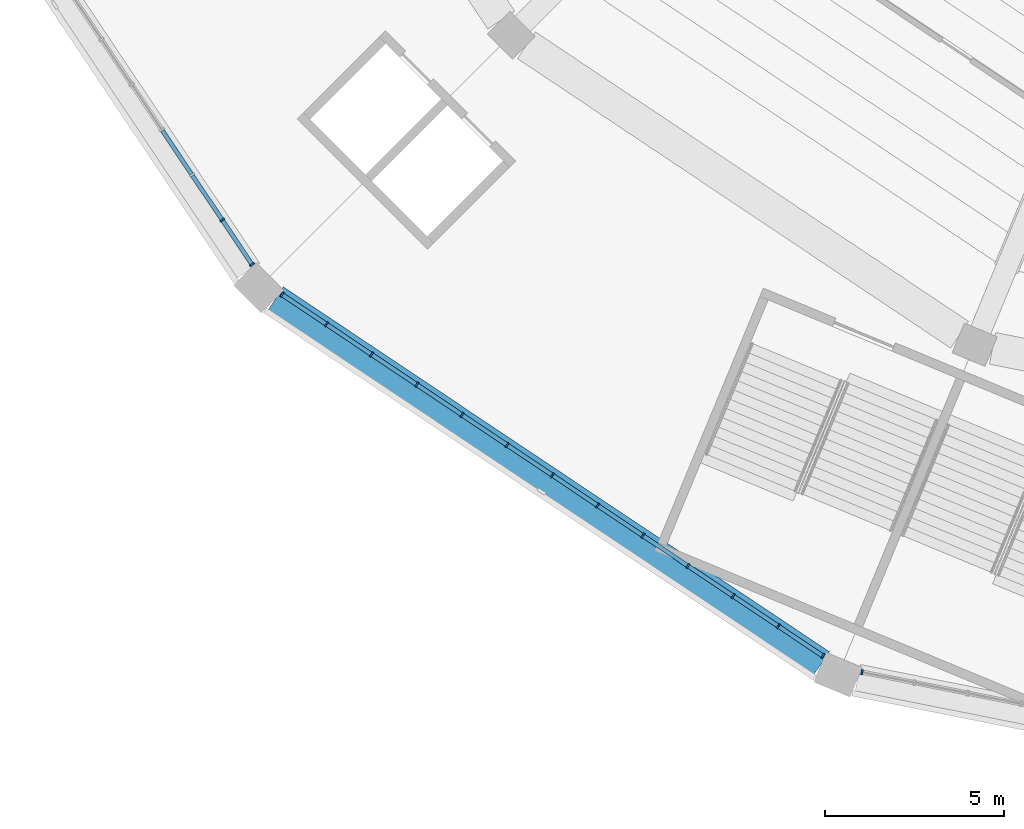
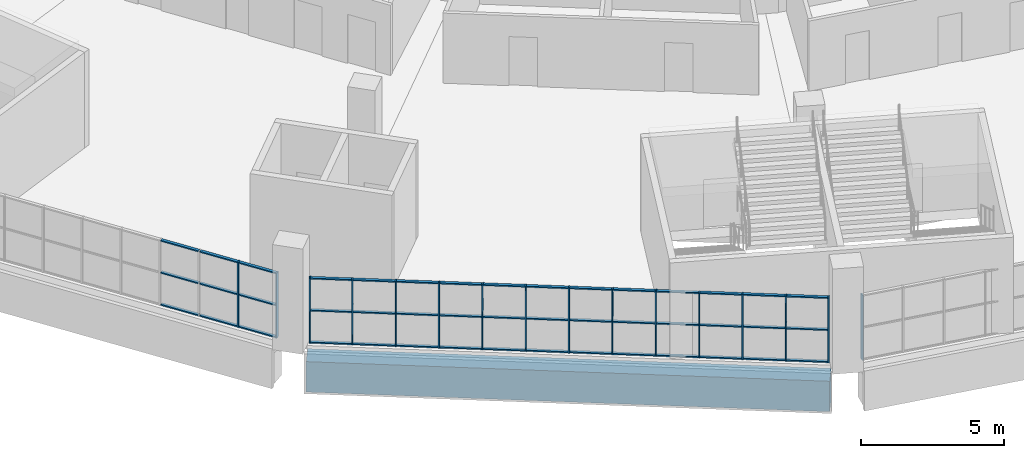
# One storey, part 2 of 249: 61 members, 1 beam, 3 elements without a shape of their own.
"""IFC4 building model written with IfcOpenShell, lengths in metres."""

from ifc_helpers import new_model, si_unit, direction, frame, origin, origin_2d, place, context, subcontext, project, spatial, rectangle, extrude, material, material_profile, profile_set, type_object, element, aggregate, save


model = new_model("IFC4")

# Units and contexts
model_context = context("Model", 3, precision=1e-05, world=origin(), true_north=direction((0.0, 1.0)))
body_context = subcontext(model_context, "Body", "Model", "MODEL_VIEW")
ifc_project = project(units=[si_unit("LENGTHUNIT", "METRE"), si_unit("AREAUNIT", "SQUARE_METRE"), si_unit("VOLUMEUNIT", "CUBIC_METRE"), si_unit("PLANEANGLEUNIT", "RADIAN"), si_unit("MASSUNIT", "GRAM", prefix="KILO")], contexts=[model_context])

# Site, building, storey
site_placement = place(None, origin())
site = spatial("IfcSite", under=ifc_project, at=site_placement, CompositionType="ELEMENT")
building_placement = place(site_placement, origin())
building = spatial("IfcBuilding", under=site, at=building_placement, Name="Ogive Plaza Stadium", CompositionType="ELEMENT")
storey_placement = place(building_placement, frame((0.0, 0.0, 13.5)))
storey = spatial("IfcBuildingStorey", under=building, at=storey_placement, Name="L03", CompositionType="ELEMENT", Elevation=13.5)

# Curtain wall, member
ifc_material_1 = material(Name="Bronze-anodised aluminium with laminated glass", Category="aluminium")
curtain_wall_type = type_object("IfcCurtainWallType", Name="Lancet curtain wall", PredefinedType="NOTDEFINED", material=ifc_material_1)
curtain_wall_1_placement = place(storey_placement, origin())
curtain_wall_1 = element("IfcCurtainWall", 1, at=curtain_wall_1_placement, inside=storey, type_object=curtain_wall_type, Name="CURTAIN WALL B17 L03", PredefinedType="NOTDEFINED")
ifc_material_2 = material(Name="Bronze-anodised aluminium", Category="aluminium")
ifc_material_profile_1 = material_profile(ifc_material_2, rectangle(XDim=0.14990234375, YDim=0.050048828125, at=origin_2d()), Name="AL 150x50")
ifc_profile_set_1 = profile_set([ifc_material_profile_1], Name="Bronze-anodised aluminium")
member_type_1 = type_object("IfcMemberType", Name="Curtain wall mullion 50x150", PredefinedType="MULLION", material=ifc_profile_set_1)
member_1_placement = place(storey_placement, frame((-52.462158203125, -98.623779296875, 0.0), z_axis=(0.0, 0.0, 1.0), x_axis=(-0.195090322033, -0.9807852804, 0.0)))
member_1 = element("IfcMember", 2, at=member_1_placement, type_object=member_type_1, Name="CW-B17-L03 mullion 13", PredefinedType="MULLION", context=body_context, shape_type="SweptSolid", body=[
    extrude(rectangle(XDim=0.14990234375, YDim=0.050048828125, at=origin_2d()), origin(), (0.0, 0.0, 1.0), 2.7900390625),
])
aggregate(curtain_wall_1, [member_1])

# Curtain wall, members
curtain_wall_2_placement = place(storey_placement, origin())
curtain_wall_2 = element("IfcCurtainWall", 3, at=curtain_wall_2_placement, inside=storey, type_object=curtain_wall_type, Name="CURTAIN WALL B18 L03", PredefinedType="NOTDEFINED")
member_2_placement = place(storey_placement, frame((-53.559814453125, -98.169189453125, 0.0), z_axis=(0.0, 0.0, 1.0), x_axis=(-0.55557023302, -0.831469612303, 0.0)))
member_2 = element("IfcMember", 4, at=member_2_placement, type_object=member_type_1, Name="CW-B18-L03 mullion 1", PredefinedType="MULLION", context=body_context, shape_type="SweptSolid", body=[
    extrude(rectangle(XDim=0.14990234375, YDim=0.050048828125, at=origin_2d()), origin(), (0.0, 0.0, 1.0), 2.7900390625),
])
member_3_placement = place(storey_placement, frame((-54.8046875, -97.337158203125, 0.0), z_axis=(0.0, 0.0, 1.0), x_axis=(-0.55557023302, -0.831469612303, 0.0)))
member_3 = element("IfcMember", 5, at=member_3_placement, type_object=member_type_1, Name="CW-B18-L03 mullion 2", PredefinedType="MULLION", context=body_context, shape_type="SweptSolid", body=[
    extrude(rectangle(XDim=0.14990234375, YDim=0.050048828125, at=origin_2d()), origin(), (0.0, 0.0, 1.0), 2.7900390625),
])
member_4_placement = place(storey_placement, frame((-56.070556640625, -96.491455078125, 0.0), z_axis=(0.0, 0.0, 1.0), x_axis=(-0.55557023302, -0.831469612303, 0.0)))
member_4 = element("IfcMember", 6, at=member_4_placement, type_object=member_type_1, Name="CW-B18-L03 mullion 3", PredefinedType="MULLION", context=body_context, shape_type="SweptSolid", body=[
    extrude(rectangle(XDim=0.14990234375, YDim=0.050048828125, at=origin_2d()), origin(), (0.0, 0.0, 1.0), 2.7900390625),
])
member_5_placement = place(storey_placement, frame((-57.336181640625, -95.645751953125, 0.0), z_axis=(0.0, 0.0, 1.0), x_axis=(-0.55557023302, -0.831469612303, 0.0)))
member_5 = element("IfcMember", 7, at=member_5_placement, type_object=member_type_1, Name="CW-B18-L03 mullion 4", PredefinedType="MULLION", context=body_context, shape_type="SweptSolid", body=[
    extrude(rectangle(XDim=0.14990234375, YDim=0.050048828125, at=origin_2d()), origin(), (0.0, 0.0, 1.0), 2.7900390625),
])
member_6_placement = place(storey_placement, frame((-58.60205078125, -94.7998046875, 0.0), z_axis=(0.0, 0.0, 1.0), x_axis=(-0.55557023302, -0.831469612303, 0.0)))
member_6 = element("IfcMember", 8, at=member_6_placement, type_object=member_type_1, Name="CW-B18-L03 mullion 5", PredefinedType="MULLION", context=body_context, shape_type="SweptSolid", body=[
    extrude(rectangle(XDim=0.14990234375, YDim=0.050048828125, at=origin_2d()), origin(), (0.0, 0.0, 1.0), 2.7900390625),
])
member_7_placement = place(storey_placement, frame((-59.867919921875, -93.9541015625, 0.0), z_axis=(0.0, 0.0, 1.0), x_axis=(-0.55557023302, -0.831469612303, 0.0)))
member_7 = element("IfcMember", 9, at=member_7_placement, type_object=member_type_1, Name="CW-B18-L03 mullion 6", PredefinedType="MULLION", context=body_context, shape_type="SweptSolid", body=[
    extrude(rectangle(XDim=0.14990234375, YDim=0.050048828125, at=origin_2d()), origin(), (0.0, 0.0, 1.0), 2.7900390625),
])
member_8_placement = place(storey_placement, frame((-61.133544921875, -93.1083984375, 0.0), z_axis=(0.0, 0.0, 1.0), x_axis=(-0.55557023302, -0.831469612303, 0.0)))
member_8 = element("IfcMember", 10, at=member_8_placement, type_object=member_type_1, Name="CW-B18-L03 mullion 7", PredefinedType="MULLION", context=body_context, shape_type="SweptSolid", body=[
    extrude(rectangle(XDim=0.14990234375, YDim=0.050048828125, at=origin_2d()), origin(), (0.0, 0.0, 1.0), 2.7900390625),
])
member_9_placement = place(storey_placement, frame((-62.3994140625, -92.2626953125, 0.0), z_axis=(0.0, 0.0, 1.0), x_axis=(-0.55557023302, -0.831469612303, 0.0)))
member_9 = element("IfcMember", 11, at=member_9_placement, type_object=member_type_1, Name="CW-B18-L03 mullion 8", PredefinedType="MULLION", context=body_context, shape_type="SweptSolid", body=[
    extrude(rectangle(XDim=0.14990234375, YDim=0.050048828125, at=origin_2d()), origin(), (0.0, 0.0, 1.0), 2.7900390625),
])
member_10_placement = place(storey_placement, frame((-63.665283203125, -91.416748046875, 0.0), z_axis=(0.0, 0.0, 1.0), x_axis=(-0.55557023302, -0.831469612303, 0.0)))
member_10 = element("IfcMember", 12, at=member_10_placement, type_object=member_type_1, Name="CW-B18-L03 mullion 9", PredefinedType="MULLION", context=body_context, shape_type="SweptSolid", body=[
    extrude(rectangle(XDim=0.14990234375, YDim=0.050048828125, at=origin_2d()), origin(), (0.0, 0.0, 1.0), 2.7900390625),
])
member_11_placement = place(storey_placement, frame((-64.930908203125, -90.571044921875, 0.0), z_axis=(0.0, 0.0, 1.0), x_axis=(-0.55557023302, -0.831469612303, 0.0)))
member_11 = element("IfcMember", 13, at=member_11_placement, type_object=member_type_1, Name="CW-B18-L03 mullion 10", PredefinedType="MULLION", context=body_context, shape_type="SweptSolid", body=[
    extrude(rectangle(XDim=0.14990234375, YDim=0.050048828125, at=origin_2d()), origin(), (0.0, 0.0, 1.0), 2.7900390625),
])
member_12_placement = place(storey_placement, frame((-66.19677734375, -89.725341796875, 0.0), z_axis=(0.0, 0.0, 1.0), x_axis=(-0.55557023302, -0.831469612303, 0.0)))
member_12 = element("IfcMember", 14, at=member_12_placement, type_object=member_type_1, Name="CW-B18-L03 mullion 11", PredefinedType="MULLION", context=body_context, shape_type="SweptSolid", body=[
    extrude(rectangle(XDim=0.14990234375, YDim=0.050048828125, at=origin_2d()), origin(), (0.0, 0.0, 1.0), 2.7900390625),
])
member_13_placement = place(storey_placement, frame((-67.462646484375, -88.879638671875, 0.0), z_axis=(0.0, 0.0, 1.0), x_axis=(-0.55557023302, -0.831469612303, 0.0)))
member_13 = element("IfcMember", 15, at=member_13_placement, type_object=member_type_1, Name="CW-B18-L03 mullion 12", PredefinedType="MULLION", context=body_context, shape_type="SweptSolid", body=[
    extrude(rectangle(XDim=0.14990234375, YDim=0.050048828125, at=origin_2d()), origin(), (0.0, 0.0, 1.0), 2.7900390625),
])
member_14_placement = place(storey_placement, frame((-68.70751953125, -88.047607421875, 0.0), z_axis=(0.0, 0.0, 1.0), x_axis=(-0.55557023302, -0.831469612303, 0.0)))
member_14 = element("IfcMember", 16, at=member_14_placement, type_object=member_type_1, Name="CW-B18-L03 mullion 13", PredefinedType="MULLION", context=body_context, shape_type="SweptSolid", body=[
    extrude(rectangle(XDim=0.14990234375, YDim=0.050048828125, at=origin_2d()), origin(), (0.0, 0.0, 1.0), 2.7900390625),
])

curtain_wall_3_placement = place(storey_placement, origin())
curtain_wall_3 = element("IfcCurtainWall", 17, at=curtain_wall_3_placement, inside=storey, type_object=curtain_wall_type, Name="CURTAIN WALL B19 L03", PredefinedType="NOTDEFINED")
member_15_placement = place(storey_placement, frame((-69.547607421875, -87.20751953125, 0.0), z_axis=(0.0, 0.0, 1.0), x_axis=(-0.831469612303, -0.55557023302, 0.0)))
member_15 = element("IfcMember", 18, at=member_15_placement, type_object=member_type_1, Name="CW-B19-L03 mullion 1", PredefinedType="MULLION", context=body_context, shape_type="SweptSolid", body=[
    extrude(rectangle(XDim=0.14990234375, YDim=0.050048828125, at=origin_2d()), origin(), (0.0, 0.0, 1.0), 2.7900390625),
])
member_16_placement = place(storey_placement, frame((-70.379638671875, -85.962646484375, 0.0), z_axis=(0.0, 0.0, 1.0), x_axis=(-0.831469612303, -0.55557023302, 0.0)))
member_16 = element("IfcMember", 19, at=member_16_placement, type_object=member_type_1, Name="CW-B19-L03 mullion 2", PredefinedType="MULLION", context=body_context, shape_type="SweptSolid", body=[
    extrude(rectangle(XDim=0.14990234375, YDim=0.050048828125, at=origin_2d()), origin(), (0.0, 0.0, 1.0), 2.7900390625),
])

# Member
ifc_material_3 = material(Name="Bronze-anodised aluminium", Category="aluminium")
ifc_material_profile_2 = material_profile(ifc_material_3, rectangle(XDim=0.1201171875, YDim=0.050048828125, at=origin_2d()), Name="AL 120x50")
ifc_profile_set_2 = profile_set([ifc_material_profile_2], Name="Bronze-anodised aluminium")
member_type_2 = type_object("IfcMemberType", Name="Curtain wall transom 50x120", PredefinedType="USERDEFINED", material=ifc_profile_set_2)
member_17_placement = place(storey_placement, frame((-53.58056640625, -98.1552734375, 0.02490234375), z_axis=(-0.831426948977, 0.555634077892, 0.0), x_axis=(-0.555634077892, -0.831426948977, 0.0)))
member_17 = element("IfcMember", 20, at=member_17_placement, type_object=member_type_2, Name="CW-B18-L03 transom 1.1", ObjectType="TRANSOM", PredefinedType="USERDEFINED", context=body_context, shape_type="SweptSolid", body=[
    extrude(rectangle(XDim=0.1201171875, YDim=0.050048828125, at=origin_2d()), origin(), (0.0, 0.0, 1.0), 1.447265625),
])

member_18_placement = place(storey_placement, frame((-53.58056640625, -98.1552734375, 1.39501953125), z_axis=(-0.831426948977, 0.555634077892, 0.0), x_axis=(-0.555634077892, -0.831426948977, 0.0)))
member_18 = element("IfcMember", 21, at=member_18_placement, type_object=member_type_2, Name="CW-B18-L03 transom 1.2", ObjectType="TRANSOM", PredefinedType="USERDEFINED", context=body_context, shape_type="SweptSolid", body=[
    extrude(rectangle(XDim=0.1201171875, YDim=0.050048828125, at=origin_2d()), origin(), (0.0, 0.0, 1.0), 1.447265625),
])

member_19_placement = place(storey_placement, frame((-53.58056640625, -98.1552734375, 2.764892578125), z_axis=(-0.831426948977, 0.555634077892, 0.0), x_axis=(-0.555634077892, -0.831426948977, 0.0)))
member_19 = element("IfcMember", 22, at=member_19_placement, type_object=member_type_2, Name="CW-B18-L03 transom 1.3", ObjectType="TRANSOM", PredefinedType="USERDEFINED", context=body_context, shape_type="SweptSolid", body=[
    extrude(rectangle(XDim=0.1201171875, YDim=0.050048828125, at=origin_2d()), origin(), (0.0, 0.0, 1.0), 1.447265625),
])

member_20_placement = place(storey_placement, frame((-54.825439453125, -97.3232421875, 0.02490234375), z_axis=(-0.83153975619, 0.555465240925, 0.0), x_axis=(-0.555465240925, -0.83153975619, 0.0)))
member_20 = element("IfcMember", 23, at=member_20_placement, type_object=member_type_2, Name="CW-B18-L03 transom 2.1", ObjectType="TRANSOM", PredefinedType="USERDEFINED", context=body_context, shape_type="SweptSolid", body=[
    extrude(rectangle(XDim=0.1201171875, YDim=0.050048828125, at=origin_2d()), origin(), (0.0, 0.0, 1.0), 1.472412109375),
])

member_21_placement = place(storey_placement, frame((-54.825439453125, -97.3232421875, 1.39501953125), z_axis=(-0.83153975619, 0.555465240925, 0.0), x_axis=(-0.555465240925, -0.83153975619, 0.0)))
member_21 = element("IfcMember", 24, at=member_21_placement, type_object=member_type_2, Name="CW-B18-L03 transom 2.2", ObjectType="TRANSOM", PredefinedType="USERDEFINED", context=body_context, shape_type="SweptSolid", body=[
    extrude(rectangle(XDim=0.1201171875, YDim=0.050048828125, at=origin_2d()), origin(), (0.0, 0.0, 1.0), 1.472412109375),
])

member_22_placement = place(storey_placement, frame((-54.825439453125, -97.3232421875, 2.764892578125), z_axis=(-0.83153975619, 0.555465240925, 0.0), x_axis=(-0.555465240925, -0.83153975619, 0.0)))
member_22 = element("IfcMember", 25, at=member_22_placement, type_object=member_type_2, Name="CW-B18-L03 transom 2.3", ObjectType="TRANSOM", PredefinedType="USERDEFINED", context=body_context, shape_type="SweptSolid", body=[
    extrude(rectangle(XDim=0.1201171875, YDim=0.050048828125, at=origin_2d()), origin(), (0.0, 0.0, 1.0), 1.472412109375),
])

member_23_placement = place(storey_placement, frame((-56.09130859375, -96.4775390625, 0.02490234375), z_axis=(-0.831488586159, 0.555541835587, 0.0), x_axis=(-0.555541835587, -0.831488586159, 0.0)))
member_23 = element("IfcMember", 26, at=member_23_placement, type_object=member_type_2, Name="CW-B18-L03 transom 3.1", ObjectType="TRANSOM", PredefinedType="USERDEFINED", context=body_context, shape_type="SweptSolid", body=[
    extrude(rectangle(XDim=0.1201171875, YDim=0.050048828125, at=origin_2d()), origin(), (0.0, 0.0, 1.0), 1.47216796875),
])

member_24_placement = place(storey_placement, frame((-56.09130859375, -96.4775390625, 1.39501953125), z_axis=(-0.831488586159, 0.555541835587, 0.0), x_axis=(-0.555541835587, -0.831488586159, 0.0)))
member_24 = element("IfcMember", 27, at=member_24_placement, type_object=member_type_2, Name="CW-B18-L03 transom 3.2", ObjectType="TRANSOM", PredefinedType="USERDEFINED", context=body_context, shape_type="SweptSolid", body=[
    extrude(rectangle(XDim=0.1201171875, YDim=0.050048828125, at=origin_2d()), origin(), (0.0, 0.0, 1.0), 1.47216796875),
])

member_25_placement = place(storey_placement, frame((-56.09130859375, -96.4775390625, 2.764892578125), z_axis=(-0.831488586159, 0.555541835587, 0.0), x_axis=(-0.555541835587, -0.831488586159, 0.0)))
member_25 = element("IfcMember", 28, at=member_25_placement, type_object=member_type_2, Name="CW-B18-L03 transom 3.3", ObjectType="TRANSOM", PredefinedType="USERDEFINED", context=body_context, shape_type="SweptSolid", body=[
    extrude(rectangle(XDim=0.1201171875, YDim=0.050048828125, at=origin_2d()), origin(), (0.0, 0.0, 1.0), 1.47216796875),
])

member_26_placement = place(storey_placement, frame((-57.357177734375, -95.6318359375, 0.02490234375), z_axis=(-0.831411982446, 0.555656472512, 0.0), x_axis=(-0.555656472512, -0.831411982446, 0.0)))
member_26 = element("IfcMember", 29, at=member_26_placement, type_object=member_type_2, Name="CW-B18-L03 transom 4.1", ObjectType="TRANSOM", PredefinedType="USERDEFINED", context=body_context, shape_type="SweptSolid", body=[
    extrude(rectangle(XDim=0.1201171875, YDim=0.050048828125, at=origin_2d()), origin(), (0.0, 0.0, 1.0), 1.472412109375),
])

member_27_placement = place(storey_placement, frame((-57.357177734375, -95.6318359375, 1.39501953125), z_axis=(-0.831411982446, 0.555656472512, 0.0), x_axis=(-0.555656472512, -0.831411982446, 0.0)))
member_27 = element("IfcMember", 30, at=member_27_placement, type_object=member_type_2, Name="CW-B18-L03 transom 4.2", ObjectType="TRANSOM", PredefinedType="USERDEFINED", context=body_context, shape_type="SweptSolid", body=[
    extrude(rectangle(XDim=0.1201171875, YDim=0.050048828125, at=origin_2d()), origin(), (0.0, 0.0, 1.0), 1.472412109375),
])

member_28_placement = place(storey_placement, frame((-57.357177734375, -95.6318359375, 2.764892578125), z_axis=(-0.831411982446, 0.555656472512, 0.0), x_axis=(-0.555656472512, -0.831411982446, 0.0)))
member_28 = element("IfcMember", 31, at=member_28_placement, type_object=member_type_2, Name="CW-B18-L03 transom 4.3", ObjectType="TRANSOM", PredefinedType="USERDEFINED", context=body_context, shape_type="SweptSolid", body=[
    extrude(rectangle(XDim=0.1201171875, YDim=0.050048828125, at=origin_2d()), origin(), (0.0, 0.0, 1.0), 1.472412109375),
])

member_29_placement = place(storey_placement, frame((-58.622802734375, -94.7861328125, 0.02490234375), z_axis=(-0.831463168883, 0.555579876157, 0.0), x_axis=(-0.555579876157, -0.831463168883, 0.0)))
member_29 = element("IfcMember", 32, at=member_29_placement, type_object=member_type_2, Name="CW-B18-L03 transom 5.1", ObjectType="TRANSOM", PredefinedType="USERDEFINED", context=body_context, shape_type="SweptSolid", body=[
    extrude(rectangle(XDim=0.1201171875, YDim=0.050048828125, at=origin_2d()), origin(), (0.0, 0.0, 1.0), 1.47265625),
])

member_30_placement = place(storey_placement, frame((-58.622802734375, -94.7861328125, 1.39501953125), z_axis=(-0.831463168883, 0.555579876157, 0.0), x_axis=(-0.555579876157, -0.831463168883, 0.0)))
member_30 = element("IfcMember", 33, at=member_30_placement, type_object=member_type_2, Name="CW-B18-L03 transom 5.2", ObjectType="TRANSOM", PredefinedType="USERDEFINED", context=body_context, shape_type="SweptSolid", body=[
    extrude(rectangle(XDim=0.1201171875, YDim=0.050048828125, at=origin_2d()), origin(), (0.0, 0.0, 1.0), 1.47265625),
])

member_31_placement = place(storey_placement, frame((-58.622802734375, -94.7861328125, 2.764892578125), z_axis=(-0.831463168883, 0.555579876157, 0.0), x_axis=(-0.555579876157, -0.831463168883, 0.0)))
member_31 = element("IfcMember", 34, at=member_31_placement, type_object=member_type_2, Name="CW-B18-L03 transom 5.3", ObjectType="TRANSOM", PredefinedType="USERDEFINED", context=body_context, shape_type="SweptSolid", body=[
    extrude(rectangle(XDim=0.1201171875, YDim=0.050048828125, at=origin_2d()), origin(), (0.0, 0.0, 1.0), 1.47265625),
])

member_32_placement = place(storey_placement, frame((-59.888671875, -93.940185546875, 0.02490234375), z_axis=(-0.831488586159, 0.555541835587, 0.0), x_axis=(-0.555541835587, -0.831488586159, 0.0)))
member_32 = element("IfcMember", 35, at=member_32_placement, type_object=member_type_2, Name="CW-B18-L03 transom 6.1", ObjectType="TRANSOM", PredefinedType="USERDEFINED", context=body_context, shape_type="SweptSolid", body=[
    extrude(rectangle(XDim=0.1201171875, YDim=0.050048828125, at=origin_2d()), origin(), (0.0, 0.0, 1.0), 1.47216796875),
])

member_33_placement = place(storey_placement, frame((-59.888671875, -93.940185546875, 1.39501953125), z_axis=(-0.831488586159, 0.555541835587, 0.0), x_axis=(-0.555541835587, -0.831488586159, 0.0)))
member_33 = element("IfcMember", 36, at=member_33_placement, type_object=member_type_2, Name="CW-B18-L03 transom 6.2", ObjectType="TRANSOM", PredefinedType="USERDEFINED", context=body_context, shape_type="SweptSolid", body=[
    extrude(rectangle(XDim=0.1201171875, YDim=0.050048828125, at=origin_2d()), origin(), (0.0, 0.0, 1.0), 1.47216796875),
])

member_34_placement = place(storey_placement, frame((-59.888671875, -93.940185546875, 2.764892578125), z_axis=(-0.831488586159, 0.555541835587, 0.0), x_axis=(-0.555541835587, -0.831488586159, 0.0)))
member_34 = element("IfcMember", 37, at=member_34_placement, type_object=member_type_2, Name="CW-B18-L03 transom 6.3", ObjectType="TRANSOM", PredefinedType="USERDEFINED", context=body_context, shape_type="SweptSolid", body=[
    extrude(rectangle(XDim=0.1201171875, YDim=0.050048828125, at=origin_2d()), origin(), (0.0, 0.0, 1.0), 1.47216796875),
])

member_35_placement = place(storey_placement, frame((-61.154541015625, -93.094482421875, 0.02490234375), z_axis=(-0.831411982446, 0.555656472512, 0.0), x_axis=(-0.555656472512, -0.831411982446, 0.0)))
member_35 = element("IfcMember", 38, at=member_35_placement, type_object=member_type_2, Name="CW-B18-L03 transom 7.1", ObjectType="TRANSOM", PredefinedType="USERDEFINED", context=body_context, shape_type="SweptSolid", body=[
    extrude(rectangle(XDim=0.1201171875, YDim=0.050048828125, at=origin_2d()), origin(), (0.0, 0.0, 1.0), 1.472412109375),
])

member_36_placement = place(storey_placement, frame((-61.154541015625, -93.094482421875, 1.39501953125), z_axis=(-0.831411982446, 0.555656472512, 0.0), x_axis=(-0.555656472512, -0.831411982446, 0.0)))
member_36 = element("IfcMember", 39, at=member_36_placement, type_object=member_type_2, Name="CW-B18-L03 transom 7.2", ObjectType="TRANSOM", PredefinedType="USERDEFINED", context=body_context, shape_type="SweptSolid", body=[
    extrude(rectangle(XDim=0.1201171875, YDim=0.050048828125, at=origin_2d()), origin(), (0.0, 0.0, 1.0), 1.472412109375),
])

member_37_placement = place(storey_placement, frame((-61.154541015625, -93.094482421875, 2.764892578125), z_axis=(-0.831411982446, 0.555656472512, 0.0), x_axis=(-0.555656472512, -0.831411982446, 0.0)))
member_37 = element("IfcMember", 40, at=member_37_placement, type_object=member_type_2, Name="CW-B18-L03 transom 7.3", ObjectType="TRANSOM", PredefinedType="USERDEFINED", context=body_context, shape_type="SweptSolid", body=[
    extrude(rectangle(XDim=0.1201171875, YDim=0.050048828125, at=origin_2d()), origin(), (0.0, 0.0, 1.0), 1.472412109375),
])

member_38_placement = place(storey_placement, frame((-62.420166015625, -92.248779296875, 0.02490234375), z_axis=(-0.831463168883, 0.555579876157, 0.0), x_axis=(-0.555579876157, -0.831463168883, 0.0)))
member_38 = element("IfcMember", 41, at=member_38_placement, type_object=member_type_2, Name="CW-B18-L03 transom 8.1", ObjectType="TRANSOM", PredefinedType="USERDEFINED", context=body_context, shape_type="SweptSolid", body=[
    extrude(rectangle(XDim=0.1201171875, YDim=0.050048828125, at=origin_2d()), origin(), (0.0, 0.0, 1.0), 1.47265625),
])

member_39_placement = place(storey_placement, frame((-62.420166015625, -92.248779296875, 1.39501953125), z_axis=(-0.831463168883, 0.555579876157, 0.0), x_axis=(-0.555579876157, -0.831463168883, 0.0)))
member_39 = element("IfcMember", 42, at=member_39_placement, type_object=member_type_2, Name="CW-B18-L03 transom 8.2", ObjectType="TRANSOM", PredefinedType="USERDEFINED", context=body_context, shape_type="SweptSolid", body=[
    extrude(rectangle(XDim=0.1201171875, YDim=0.050048828125, at=origin_2d()), origin(), (0.0, 0.0, 1.0), 1.47265625),
])

member_40_placement = place(storey_placement, frame((-62.420166015625, -92.248779296875, 2.764892578125), z_axis=(-0.831463168883, 0.555579876157, 0.0), x_axis=(-0.555579876157, -0.831463168883, 0.0)))
member_40 = element("IfcMember", 43, at=member_40_placement, type_object=member_type_2, Name="CW-B18-L03 transom 8.3", ObjectType="TRANSOM", PredefinedType="USERDEFINED", context=body_context, shape_type="SweptSolid", body=[
    extrude(rectangle(XDim=0.1201171875, YDim=0.050048828125, at=origin_2d()), origin(), (0.0, 0.0, 1.0), 1.47265625),
])

member_41_placement = place(storey_placement, frame((-63.68603515625, -91.40283203125, 0.02490234375), z_axis=(-0.831488586159, 0.555541835587, 0.0), x_axis=(-0.555541835587, -0.831488586159, 0.0)))
member_41 = element("IfcMember", 44, at=member_41_placement, type_object=member_type_2, Name="CW-B18-L03 transom 9.1", ObjectType="TRANSOM", PredefinedType="USERDEFINED", context=body_context, shape_type="SweptSolid", body=[
    extrude(rectangle(XDim=0.1201171875, YDim=0.050048828125, at=origin_2d()), origin(), (0.0, 0.0, 1.0), 1.47216796875),
])

member_42_placement = place(storey_placement, frame((-63.68603515625, -91.40283203125, 1.39501953125), z_axis=(-0.831488586159, 0.555541835587, 0.0), x_axis=(-0.555541835587, -0.831488586159, 0.0)))
member_42 = element("IfcMember", 45, at=member_42_placement, type_object=member_type_2, Name="CW-B18-L03 transom 9.2", ObjectType="TRANSOM", PredefinedType="USERDEFINED", context=body_context, shape_type="SweptSolid", body=[
    extrude(rectangle(XDim=0.1201171875, YDim=0.050048828125, at=origin_2d()), origin(), (0.0, 0.0, 1.0), 1.47216796875),
])

member_43_placement = place(storey_placement, frame((-63.68603515625, -91.40283203125, 2.764892578125), z_axis=(-0.831488586159, 0.555541835587, 0.0), x_axis=(-0.555541835587, -0.831488586159, 0.0)))
member_43 = element("IfcMember", 46, at=member_43_placement, type_object=member_type_2, Name="CW-B18-L03 transom 9.3", ObjectType="TRANSOM", PredefinedType="USERDEFINED", context=body_context, shape_type="SweptSolid", body=[
    extrude(rectangle(XDim=0.1201171875, YDim=0.050048828125, at=origin_2d()), origin(), (0.0, 0.0, 1.0), 1.47216796875),
])

member_44_placement = place(storey_placement, frame((-64.95166015625, -90.55712890625, 0.02490234375), z_axis=(-0.83153975619, 0.555465240925, 0.0), x_axis=(-0.555465240925, -0.83153975619, 0.0)))
member_44 = element("IfcMember", 47, at=member_44_placement, type_object=member_type_2, Name="CW-B18-L03 transom 10.1", ObjectType="TRANSOM", PredefinedType="USERDEFINED", context=body_context, shape_type="SweptSolid", body=[
    extrude(rectangle(XDim=0.1201171875, YDim=0.050048828125, at=origin_2d()), origin(), (0.0, 0.0, 1.0), 1.472412109375),
])

member_45_placement = place(storey_placement, frame((-64.95166015625, -90.55712890625, 1.39501953125), z_axis=(-0.83153975619, 0.555465240925, 0.0), x_axis=(-0.555465240925, -0.83153975619, 0.0)))
member_45 = element("IfcMember", 48, at=member_45_placement, type_object=member_type_2, Name="CW-B18-L03 transom 10.2", ObjectType="TRANSOM", PredefinedType="USERDEFINED", context=body_context, shape_type="SweptSolid", body=[
    extrude(rectangle(XDim=0.1201171875, YDim=0.050048828125, at=origin_2d()), origin(), (0.0, 0.0, 1.0), 1.472412109375),
])

member_46_placement = place(storey_placement, frame((-64.95166015625, -90.55712890625, 2.764892578125), z_axis=(-0.83153975619, 0.555465240925, 0.0), x_axis=(-0.555465240925, -0.83153975619, 0.0)))
member_46 = element("IfcMember", 49, at=member_46_placement, type_object=member_type_2, Name="CW-B18-L03 transom 10.3", ObjectType="TRANSOM", PredefinedType="USERDEFINED", context=body_context, shape_type="SweptSolid", body=[
    extrude(rectangle(XDim=0.1201171875, YDim=0.050048828125, at=origin_2d()), origin(), (0.0, 0.0, 1.0), 1.472412109375),
])

member_47_placement = place(storey_placement, frame((-66.217529296875, -89.71142578125, 0.02490234375), z_axis=(-0.831411982446, 0.555656472512, 0.0), x_axis=(-0.555656472512, -0.831411982446, 0.0)))
member_47 = element("IfcMember", 50, at=member_47_placement, type_object=member_type_2, Name="CW-B18-L03 transom 11.1", ObjectType="TRANSOM", PredefinedType="USERDEFINED", context=body_context, shape_type="SweptSolid", body=[
    extrude(rectangle(XDim=0.1201171875, YDim=0.050048828125, at=origin_2d()), origin(), (0.0, 0.0, 1.0), 1.472412109375),
])

member_48_placement = place(storey_placement, frame((-66.217529296875, -89.71142578125, 1.39501953125), z_axis=(-0.831411982446, 0.555656472512, 0.0), x_axis=(-0.555656472512, -0.831411982446, 0.0)))
member_48 = element("IfcMember", 51, at=member_48_placement, type_object=member_type_2, Name="CW-B18-L03 transom 11.2", ObjectType="TRANSOM", PredefinedType="USERDEFINED", context=body_context, shape_type="SweptSolid", body=[
    extrude(rectangle(XDim=0.1201171875, YDim=0.050048828125, at=origin_2d()), origin(), (0.0, 0.0, 1.0), 1.472412109375),
])

member_49_placement = place(storey_placement, frame((-66.217529296875, -89.71142578125, 2.764892578125), z_axis=(-0.831411982446, 0.555656472512, 0.0), x_axis=(-0.555656472512, -0.831411982446, 0.0)))
member_49 = element("IfcMember", 52, at=member_49_placement, type_object=member_type_2, Name="CW-B18-L03 transom 11.3", ObjectType="TRANSOM", PredefinedType="USERDEFINED", context=body_context, shape_type="SweptSolid", body=[
    extrude(rectangle(XDim=0.1201171875, YDim=0.050048828125, at=origin_2d()), origin(), (0.0, 0.0, 1.0), 1.472412109375),
])

member_50_placement = place(storey_placement, frame((-67.4833984375, -88.86572265625, 0.02490234375), z_axis=(-0.831426948977, 0.555634077892, 0.0), x_axis=(-0.555634077892, -0.831426948977, 0.0)))
member_50 = element("IfcMember", 53, at=member_50_placement, type_object=member_type_2, Name="CW-B18-L03 transom 12.1", ObjectType="TRANSOM", PredefinedType="USERDEFINED", context=body_context, shape_type="SweptSolid", body=[
    extrude(rectangle(XDim=0.1201171875, YDim=0.050048828125, at=origin_2d()), origin(), (0.0, 0.0, 1.0), 1.447265625),
])

member_51_placement = place(storey_placement, frame((-67.4833984375, -88.86572265625, 1.39501953125), z_axis=(-0.831426948977, 0.555634077892, 0.0), x_axis=(-0.555634077892, -0.831426948977, 0.0)))
member_51 = element("IfcMember", 54, at=member_51_placement, type_object=member_type_2, Name="CW-B18-L03 transom 12.2", ObjectType="TRANSOM", PredefinedType="USERDEFINED", context=body_context, shape_type="SweptSolid", body=[
    extrude(rectangle(XDim=0.1201171875, YDim=0.050048828125, at=origin_2d()), origin(), (0.0, 0.0, 1.0), 1.447265625),
])

member_52_placement = place(storey_placement, frame((-67.4833984375, -88.86572265625, 2.764892578125), z_axis=(-0.831426948977, 0.555634077892, 0.0), x_axis=(-0.555634077892, -0.831426948977, 0.0)))
member_52 = element("IfcMember", 55, at=member_52_placement, type_object=member_type_2, Name="CW-B18-L03 transom 12.3", ObjectType="TRANSOM", PredefinedType="USERDEFINED", context=body_context, shape_type="SweptSolid", body=[
    extrude(rectangle(XDim=0.1201171875, YDim=0.050048828125, at=origin_2d()), origin(), (0.0, 0.0, 1.0), 1.447265625),
])

aggregate(curtain_wall_2, [member_2, member_3, member_4, member_5, member_6, member_7, member_8, member_9, member_10, member_11, member_12, member_13, member_14, member_17, member_18, member_19, member_20, member_21, member_22, member_23, member_24, member_25, member_26, member_27, member_28, member_29, member_30, member_31, member_32, member_33, member_34, member_35, member_36, member_37, member_38, member_39, member_40, member_41, member_42, member_43, member_44, member_45, member_46, member_47, member_48, member_49, member_50, member_51, member_52])

member_53_placement = place(storey_placement, frame((-69.5615234375, -87.186767578125, 0.02490234375), z_axis=(-0.555634077892, 0.831426948977, 0.0), x_axis=(-0.831426948977, -0.555634077892, 0.0)))
member_53 = element("IfcMember", 56, at=member_53_placement, type_object=member_type_2, Name="CW-B19-L03 transom 1.1", ObjectType="TRANSOM", PredefinedType="USERDEFINED", context=body_context, shape_type="SweptSolid", body=[
    extrude(rectangle(XDim=0.1201171875, YDim=0.050048828125, at=origin_2d()), origin(), (0.0, 0.0, 1.0), 1.447265625),
])

member_54_placement = place(storey_placement, frame((-69.5615234375, -87.186767578125, 1.39501953125), z_axis=(-0.555634077892, 0.831426948977, 0.0), x_axis=(-0.831426948977, -0.555634077892, 0.0)))
member_54 = element("IfcMember", 57, at=member_54_placement, type_object=member_type_2, Name="CW-B19-L03 transom 1.2", ObjectType="TRANSOM", PredefinedType="USERDEFINED", context=body_context, shape_type="SweptSolid", body=[
    extrude(rectangle(XDim=0.1201171875, YDim=0.050048828125, at=origin_2d()), origin(), (0.0, 0.0, 1.0), 1.447265625),
])

member_55_placement = place(storey_placement, frame((-69.5615234375, -87.186767578125, 2.764892578125), z_axis=(-0.555634077892, 0.831426948977, 0.0), x_axis=(-0.831426948977, -0.555634077892, 0.0)))
member_55 = element("IfcMember", 58, at=member_55_placement, type_object=member_type_2, Name="CW-B19-L03 transom 1.3", ObjectType="TRANSOM", PredefinedType="USERDEFINED", context=body_context, shape_type="SweptSolid", body=[
    extrude(rectangle(XDim=0.1201171875, YDim=0.050048828125, at=origin_2d()), origin(), (0.0, 0.0, 1.0), 1.447265625),
])

member_56_placement = place(storey_placement, frame((-70.393310546875, -85.941650390625, 0.02490234375), z_axis=(-0.555656472512, 0.831411982446, 0.0), x_axis=(-0.831411982446, -0.555656472512, 0.0)))
member_56 = element("IfcMember", 59, at=member_56_placement, type_object=member_type_2, Name="CW-B19-L03 transom 2.1", ObjectType="TRANSOM", PredefinedType="USERDEFINED", context=body_context, shape_type="SweptSolid", body=[
    extrude(rectangle(XDim=0.1201171875, YDim=0.050048828125, at=origin_2d()), origin(), (0.0, 0.0, 1.0), 1.472412109375),
])

member_57_placement = place(storey_placement, frame((-70.393310546875, -85.941650390625, 1.39501953125), z_axis=(-0.555656472512, 0.831411982446, 0.0), x_axis=(-0.831411982446, -0.555656472512, 0.0)))
member_57 = element("IfcMember", 60, at=member_57_placement, type_object=member_type_2, Name="CW-B19-L03 transom 2.2", ObjectType="TRANSOM", PredefinedType="USERDEFINED", context=body_context, shape_type="SweptSolid", body=[
    extrude(rectangle(XDim=0.1201171875, YDim=0.050048828125, at=origin_2d()), origin(), (0.0, 0.0, 1.0), 1.472412109375),
])

member_58_placement = place(storey_placement, frame((-70.393310546875, -85.941650390625, 2.764892578125), z_axis=(-0.555656472512, 0.831411982446, 0.0), x_axis=(-0.831411982446, -0.555656472512, 0.0)))
member_58 = element("IfcMember", 61, at=member_58_placement, type_object=member_type_2, Name="CW-B19-L03 transom 2.3", ObjectType="TRANSOM", PredefinedType="USERDEFINED", context=body_context, shape_type="SweptSolid", body=[
    extrude(rectangle(XDim=0.1201171875, YDim=0.050048828125, at=origin_2d()), origin(), (0.0, 0.0, 1.0), 1.472412109375),
])

member_59_placement = place(storey_placement, frame((-71.2392578125, -84.676025390625, 0.02490234375), z_axis=(-0.555465240925, 0.83153975619, 0.0), x_axis=(-0.83153975619, -0.555465240925, 0.0)))
member_59 = element("IfcMember", 62, at=member_59_placement, type_object=member_type_2, Name="CW-B19-L03 transom 3.1", ObjectType="TRANSOM", PredefinedType="USERDEFINED", context=body_context, shape_type="SweptSolid", body=[
    extrude(rectangle(XDim=0.1201171875, YDim=0.050048828125, at=origin_2d()), origin(), (0.0, 0.0, 1.0), 1.472412109375),
])

member_60_placement = place(storey_placement, frame((-71.2392578125, -84.676025390625, 1.39501953125), z_axis=(-0.555465240925, 0.83153975619, 0.0), x_axis=(-0.83153975619, -0.555465240925, 0.0)))
member_60 = element("IfcMember", 63, at=member_60_placement, type_object=member_type_2, Name="CW-B19-L03 transom 3.2", ObjectType="TRANSOM", PredefinedType="USERDEFINED", context=body_context, shape_type="SweptSolid", body=[
    extrude(rectangle(XDim=0.1201171875, YDim=0.050048828125, at=origin_2d()), origin(), (0.0, 0.0, 1.0), 1.472412109375),
])

member_61_placement = place(storey_placement, frame((-71.2392578125, -84.676025390625, 2.764892578125), z_axis=(-0.555465240925, 0.83153975619, 0.0), x_axis=(-0.83153975619, -0.555465240925, 0.0)))
member_61 = element("IfcMember", 64, at=member_61_placement, type_object=member_type_2, Name="CW-B19-L03 transom 3.3", ObjectType="TRANSOM", PredefinedType="USERDEFINED", context=body_context, shape_type="SweptSolid", body=[
    extrude(rectangle(XDim=0.1201171875, YDim=0.050048828125, at=origin_2d()), origin(), (0.0, 0.0, 1.0), 1.472412109375),
])

aggregate(curtain_wall_3, [member_15, member_16, member_53, member_54, member_55, member_56, member_57, member_58, member_59, member_60, member_61])

# Beam
ifc_material_4 = material(Name="Concrete C40/50", Category="concrete")
ifc_material_profile_3 = material_profile(ifc_material_4, rectangle(XDim=0.800048828125, YDim=1.300048828125, at=origin_2d()), Name="RC 800x1300")
ifc_profile_set_3 = profile_set([ifc_material_profile_3], Name="Concrete C40/50")
beam_type = type_object("IfcBeamType", Name="RC spandrel beam 800x1300", PredefinedType="SPANDREL", material=ifc_profile_set_3)
beam_placement = place(storey_placement, frame((-53.600341796875, -98.38232421875, -1.06005859375), z_axis=(-0.831477897484, 0.555557833169, 0.0), x_axis=(-0.555557833169, -0.831477897484, 0.0)))
element("IfcBeam", 65, at=beam_placement, inside=storey, type_object=beam_type, Name="Ring beam F5 L03 B18", PredefinedType="SPANDREL", context=body_context, shape_type="SweptSolid", body=[
    extrude(rectangle(XDim=0.800048828125, YDim=1.300048828125, at=origin_2d()), origin(), (0.0, 0.0, 1.0), 18.387451171875),
])

save(model, "model.ifc")
